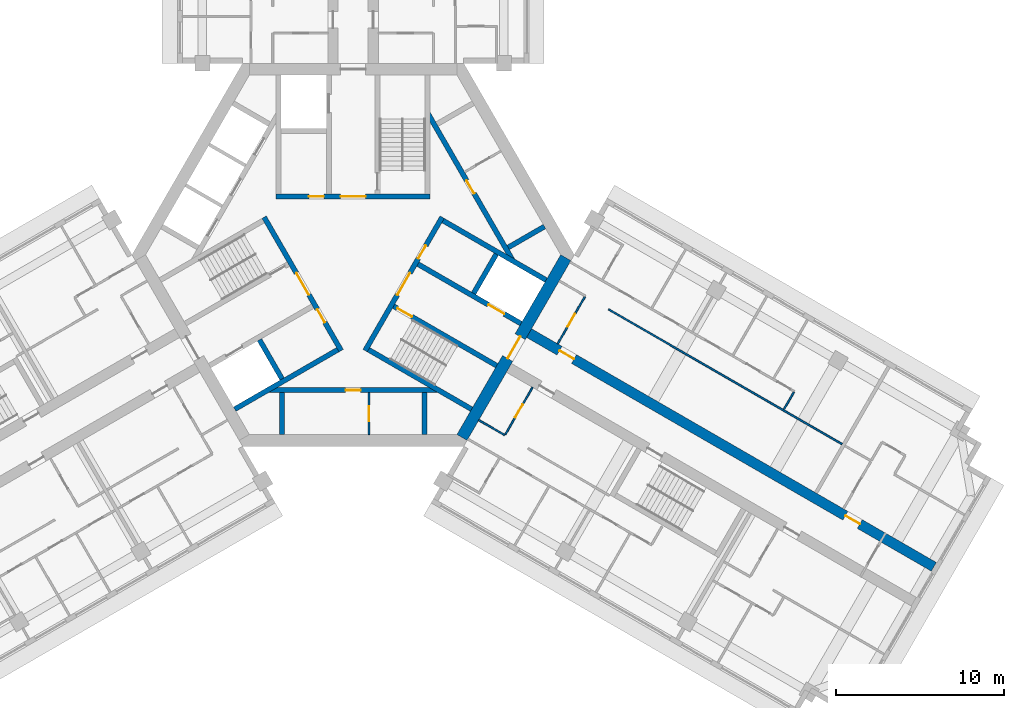
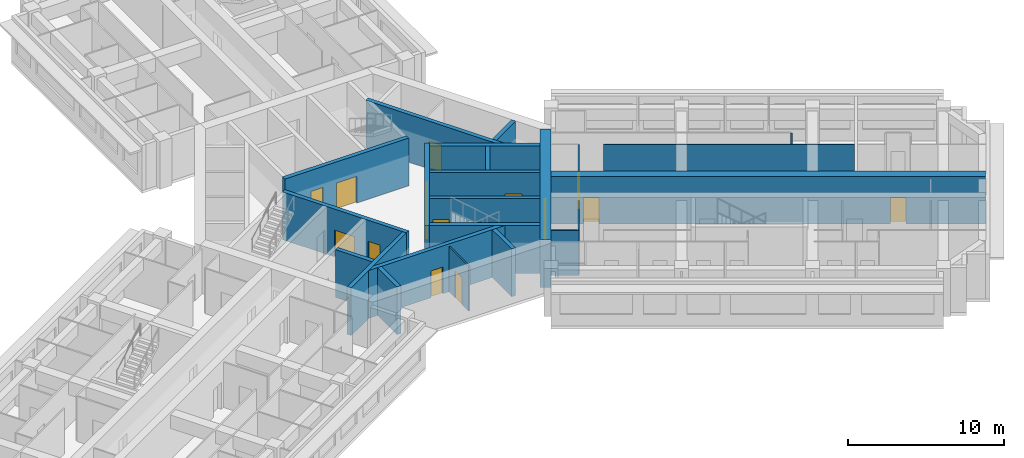
# One storey, part 6 of 12: 23 walls, 16 doors, 16 openings.
"""IFC4 building model written with IfcOpenShell, lengths in metres."""

from ifc_helpers import new_model, si_unit, direction, frame, frame_2d, origin, place, context, subcontext, project, spatial, rectangle, extrude, material, layer, layer_set, type_object, element, fill, save


model = new_model("IFC4")

# Units and contexts
model_context = context("Model", 3, precision=1e-05, world=origin(), true_north=direction((0.0, 1.0)))
body_context = subcontext(model_context, "Body", "Model", "MODEL_VIEW")
ifc_project = project(units=[si_unit("LENGTHUNIT", "METRE"), si_unit("AREAUNIT", "SQUARE_METRE"), si_unit("VOLUMEUNIT", "CUBIC_METRE"), si_unit("PLANEANGLEUNIT", "RADIAN"), si_unit("MASSUNIT", "GRAM", prefix="KILO")], contexts=[model_context])

# Site, building, storey
site_placement = place(None, origin())
site = spatial("IfcSite", under=ifc_project, at=site_placement, CompositionType="ELEMENT")
building_placement = place(site_placement, origin())
building = spatial("IfcBuilding", under=site, at=building_placement, Name="Impinga Residences", CompositionType="ELEMENT")
storey_placement = place(building_placement, frame((0.0, 0.0, 211.0)))
storey = spatial("IfcBuildingStorey", under=building, at=storey_placement, Name="L52", CompositionType="ELEMENT", Elevation=211.0)

# Wall, openings, doors
ifc_material_1 = material(Name="Concrete C60/75", Category="concrete")
ifc_layer_1 = layer(ifc_material_1, 0.60009765625)
ifc_layer_set_1 = layer_set([ifc_layer_1], Name="Concrete C60/75")
wall_type_1 = type_object("IfcWallType", Name="BW3 corridor buttress wall, L46 to L73 600", PredefinedType="SHEAR", material=ifc_layer_set_1)
wall_1_placement = place(storey_placement, frame((10.19677734375, -4.50146484375, 0.0), z_axis=(0.0, 0.0, 1.0), x_axis=(0.866026415941, -0.499998246889, 0.0)))
wall_1 = element("IfcWall", 1, at=wall_1_placement, inside=storey, type_object=wall_type_1, Name="Corridor wall BW3 EC L52", PredefinedType="SHEAR", context=body_context, shape_type="SweptSolid", body=[
    extrude(rectangle(XDim=28.25, YDim=0.60009765625, at=frame_2d((14.125, 0.0))), origin(), (0.0, 0.0, 1.0), 3.75),
])
opening_1_placement = place(wall_1_placement, frame((2.449951171875, 0.0, 0.0)))
opening_1 = element("IfcOpeningElement", 2, at=opening_1_placement, cuts=wall_1, Name="Opening D1", PredefinedType="OPENING", context=body_context, shape_type="SweptSolid", body=[
    extrude(rectangle(XDim=1.0, YDim=2.10009765625, at=frame_2d((0.5, 1.050048828125))), frame((0.0, 0.31005859375, 0.0), z_axis=(0.0, -1.0, 0.0), x_axis=(1.0, 0.0, 0.0)), (0.0, 0.0, 1.0), 0.6201171875),
])
opening_2_placement = place(wall_1_placement, frame((22.14990234375, 0.0, 0.0)))
opening_2 = element("IfcOpeningElement", 3, at=opening_2_placement, cuts=wall_1, Name="Opening D1", PredefinedType="OPENING", context=body_context, shape_type="SweptSolid", body=[
    extrude(rectangle(XDim=1.0, YDim=2.10009765625, at=frame_2d((0.5, 1.050048828125))), frame((0.0, 0.31005859375, 0.0), z_axis=(0.0, -1.0, 0.0), x_axis=(1.0, 0.0, 0.0)), (0.0, 0.0, 1.0), 0.6201171875),
])
ifc_material_2 = material(Name="Timber door set", Category="wood")
door_type_1 = type_object("IfcDoorType", Name="D1 apartment entrance door 1000x2100", OperationType="SINGLE_SWING_LEFT", PredefinedType="DOOR", material=ifc_material_2)
door_1_placement = place(opening_1_placement, origin())
door_1 = element("IfcDoor", 4, at=door_1_placement, inside=storey, type_object=door_type_1, Name="Apartment L52-EA1 entrance", OperationType="SINGLE_SWING_LEFT", OverallHeight=2.10009765625, OverallWidth=1.0, PredefinedType="DOOR", context=body_context, shape_type="SweptSolid", body=[
    extrude(rectangle(XDim=1.0, YDim=2.10009765625, at=frame_2d((0.5, 1.050048828125))), frame((0.0, 0.02490234375, 0.0), z_axis=(0.0, -1.0, 0.0), x_axis=(1.0, 0.0, 0.0)), (0.0, 0.0, 1.0), 0.050048828125),
])
fill(opening_1, door_1)
door_2_placement = place(opening_2_placement, origin())
door_2 = element("IfcDoor", 5, at=door_2_placement, inside=storey, type_object=door_type_1, Name="Apartment L52-EA2 entrance", OperationType="SINGLE_SWING_RIGHT", OverallHeight=2.10009765625, OverallWidth=1.0, PredefinedType="DOOR", context=body_context, shape_type="SweptSolid", body=[
    extrude(rectangle(XDim=1.0, YDim=2.10009765625, at=frame_2d((0.5, 1.050048828125))), frame((0.0, 0.02490234375, 0.0), z_axis=(0.0, -1.0, 0.0), x_axis=(1.0, 0.0, 0.0)), (0.0, 0.0, 1.0), 0.050048828125),
])
fill(opening_2, door_2)

# Wall, opening, door
ifc_material_3 = material(Name="Concrete blockwork", Category="masonry")
ifc_layer_2 = layer(ifc_material_3, 0.10009765625)
ifc_layer_set_2 = layer_set([ifc_layer_2], Name="CP1 core room partition, blockwork 100")
wall_type_2 = type_object("IfcWallType", Name="CP1 core room partition, blockwork 100", PredefinedType="PARTITIONING", material=ifc_layer_set_2)
wall_2_placement = place(storey_placement, frame((0.949951171875, -8.2314453125, 0.0), z_axis=(0.0, 0.0, 1.0), x_axis=(0.0, -1.0, 0.0)))
wall_2 = element("IfcWall", 6, at=wall_2_placement, inside=storey, type_object=wall_type_2, Name="Core room partition, blockwork L52:CORE:low:ZP1", PredefinedType="PARTITIONING", context=body_context, shape_type="SweptSolid", body=[
    extrude(rectangle(XDim=2.5, YDim=0.10009765625, at=frame_2d((1.25, 0.0))), origin(), (0.0, 0.0, 1.0), 3.530029296875),
])
opening_3_placement = place(wall_2_placement, frame((0.800048828125, 0.0, 0.0)))
opening_3 = element("IfcOpeningElement", 7, at=opening_3_placement, cuts=wall_2, Name="Opening D6", PredefinedType="OPENING", context=body_context, shape_type="SweptSolid", body=[
    extrude(rectangle(XDim=0.89990234375, YDim=2.10009765625, at=frame_2d((0.449951171875, 1.050048828125))), frame((0.0, 0.06005859375, 0.0), z_axis=(0.0, -1.0, 0.0), x_axis=(1.0, 0.0, 0.0)), (0.0, 0.0, 1.0), 0.1201171875),
])
door_type_2 = type_object("IfcDoorType", Name="D6 riser and store door 900x2100", OperationType="SINGLE_SWING_LEFT", PredefinedType="DOOR", material=ifc_material_2)
door_3_placement = place(opening_3_placement, origin())
door_3 = element("IfcDoor", 8, at=door_3_placement, inside=storey, type_object=door_type_2, Name="Cleaners' store door", OperationType="SINGLE_SWING_LEFT", OverallHeight=2.10009765625, OverallWidth=0.89990234375, PredefinedType="DOOR", context=body_context, shape_type="SweptSolid", body=[
    extrude(rectangle(XDim=0.89990234375, YDim=2.10009765625, at=frame_2d((0.449951171875, 1.050048828125))), frame((0.0, 0.02490234375, 0.0), z_axis=(0.0, -1.0, 0.0), x_axis=(1.0, 0.0, 0.0)), (0.0, 0.0, 1.0), 0.050048828125),
])
fill(opening_3, door_3)

# Walls
ifc_material_4 = material(Name="Gypsum board on steel studs", Category="steel")
ifc_layer_3 = layer(ifc_material_4, 0.10009765625)
ifc_layer_set_3 = layer_set([ifc_layer_3], Name="Gypsum board on steel studs")
wall_type_3 = type_object("IfcWallType", Name="IP1 partition 100", PredefinedType="PARTITIONING", material=ifc_layer_set_3)
wall_3_placement = place(storey_placement, frame((15.244384765625, -3.2587890625, 0.0), z_axis=(0.0, 0.0, 1.0), x_axis=(0.866025740127, -0.499999417437, 0.0)))
element("IfcWall", 9, at=wall_3_placement, inside=storey, type_object=wall_type_3, Name="Partition L52-EA1:DIV1", PredefinedType="PARTITIONING", context=body_context, shape_type="SweptSolid", body=[
    extrude(rectangle(XDim=16.10009765625, YDim=0.10009765625, at=frame_2d((8.050048828125, 0.0))), origin(), (0.0, 0.0, 1.0), 3.530029296875),
])
wall_4_placement = place(storey_placement, frame((25.705078125, -9.240478515625, 0.0), z_axis=(0.0, 0.0, 1.0), x_axis=(0.50012165622, 0.865955154139, 0.0)))
element("IfcWall", 10, at=wall_4_placement, inside=storey, type_object=wall_type_3, Name="Partition L52-EA1:SE1", PredefinedType="PARTITIONING", context=body_context, shape_type="SweptSolid", body=[
    extrude(rectangle(XDim=1.199951171875, YDim=0.10009765625, at=frame_2d((0.60009765625, 0.0))), origin(), (0.0, 0.0, 1.0), 3.530029296875),
])

# Wall, opening, door
wall_5_placement = place(storey_placement, frame((12.208740234375, -5.316650390625, 0.0), z_axis=(0.0, 0.0, 1.0), x_axis=(0.500017246033, 0.866015446554, 0.0)))
wall_5 = element("IfcWall", 11, at=wall_5_placement, inside=storey, type_object=wall_type_3, Name="Partition L52-EA1:IB1", PredefinedType="PARTITIONING", context=body_context, shape_type="SweptSolid", body=[
    extrude(rectangle(XDim=3.25, YDim=0.10009765625, at=frame_2d((1.625, 0.0))), origin(), (0.0, 0.0, 1.0), 3.530029296875),
])
opening_4_placement = place(wall_5_placement, frame((1.175048828125, 0.0, 0.0)))
opening_4 = element("IfcOpeningElement", 12, at=opening_4_placement, cuts=wall_5, Name="Opening D2", PredefinedType="OPENING", context=body_context, shape_type="SweptSolid", body=[
    extrude(rectangle(XDim=0.89990234375, YDim=2.10009765625, at=frame_2d((0.449951171875, 1.050048828125))), frame((0.0, 0.06005859375, 0.0), z_axis=(0.0, -1.0, 0.0), x_axis=(1.0, 0.0, 0.0)), (0.0, 0.0, 1.0), 0.1201171875),
])
door_type_3 = type_object("IfcDoorType", Name="D2 internal door 900x2100", OperationType="SINGLE_SWING_LEFT", PredefinedType="DOOR", material=ifc_material_2)
door_4_placement = place(opening_4_placement, origin())
door_4 = element("IfcDoor", 13, at=door_4_placement, inside=storey, type_object=door_type_3, Name="Apartment L52-EA1 bathroom door", OperationType="SINGLE_SWING_LEFT", OverallHeight=2.10009765625, OverallWidth=0.89990234375, PredefinedType="DOOR", context=body_context, shape_type="SweptSolid", body=[
    extrude(rectangle(XDim=0.89990234375, YDim=2.10009765625, at=frame_2d((0.449951171875, 1.050048828125))), frame((0.0, 0.02490234375, 0.0), z_axis=(0.0, -1.0, 0.0), x_axis=(1.0, 0.0, 0.0)), (0.0, 0.0, 1.0), 0.050048828125),
])
fill(opening_4, door_4)

# Wall
wall_6_placement = place(storey_placement, frame((7.5, -9.872802734375, 0.0), z_axis=(0.0, 0.0, 1.0), x_axis=(0.866047807691, -0.499961193289, 0.0)))
element("IfcWall", 14, at=wall_6_placement, inside=storey, type_object=wall_type_3, Name="Partition L52-EF1:DIV0", PredefinedType="PARTITIONING", context=body_context, shape_type="SweptSolid", body=[
    extrude(rectangle(XDim=1.800048828125, YDim=0.10009765625, at=frame_2d((0.89990234375, 0.0))), origin(), (0.0, 0.0, 1.0), 3.530029296875),
])

# Wall, opening, door
wall_7_placement = place(storey_placement, frame((10.708740234375, -7.914794921875, 0.0), z_axis=(0.0, 0.0, 1.0), x_axis=(-0.499984717929, -0.866034226713, 0.0)))
wall_7 = element("IfcWall", 15, at=wall_7_placement, inside=storey, type_object=wall_type_3, Name="Partition L52-EF1:IB1", PredefinedType="PARTITIONING", context=body_context, shape_type="SweptSolid", body=[
    extrude(rectangle(XDim=3.25, YDim=0.10009765625, at=frame_2d((1.625, 0.0))), origin(), (0.0, 0.0, 1.0), 3.530029296875),
])
opening_5_placement = place(wall_7_placement, frame((1.175048828125, 0.0, 0.0)))
opening_5 = element("IfcOpeningElement", 16, at=opening_5_placement, cuts=wall_7, Name="Opening D2", PredefinedType="OPENING", context=body_context, shape_type="SweptSolid", body=[
    extrude(rectangle(XDim=0.89990234375, YDim=2.10009765625, at=frame_2d((0.449951171875, 1.050048828125))), frame((0.0, 0.06005859375, 0.0), z_axis=(0.0, -1.0, 0.0), x_axis=(1.0, 0.0, 0.0)), (0.0, 0.0, 1.0), 0.1201171875),
])
door_5_placement = place(opening_5_placement, origin())
door_5 = element("IfcDoor", 17, at=door_5_placement, inside=storey, type_object=door_type_3, Name="Apartment L52-EF1 bathroom door", OperationType="SINGLE_SWING_LEFT", OverallHeight=2.10009765625, OverallWidth=0.89990234375, PredefinedType="DOOR", context=body_context, shape_type="SweptSolid", body=[
    extrude(rectangle(XDim=0.89990234375, YDim=2.10009765625, at=frame_2d((0.449951171875, 1.050048828125))), frame((0.0, 0.02490234375, 0.0), z_axis=(0.0, -1.0, 0.0), x_axis=(1.0, 0.0, 0.0)), (0.0, 0.0, 1.0), 0.050048828125),
])
fill(opening_5, door_5)

ifc_layer_4 = layer(ifc_material_1, 0.699951171875)
ifc_layer_set_4 = layer_set([ifc_layer_4], Name="Concrete C60/75")
wall_type_4 = type_object("IfcWallType", Name="SW3 core wall 700", PredefinedType="SHEAR", material=ifc_layer_set_4)
wall_8_placement = place(storey_placement, frame((12.69482421875, -0.175048828125, 0.0), z_axis=(0.0, 0.0, 1.0), x_axis=(-0.499999875397, -0.866025475724, 0.0)))
wall_8 = element("IfcWall", 18, at=wall_8_placement, inside=storey, type_object=wall_type_4, Name="Core wall SW3 E:FACE L52", PredefinedType="SHEAR", context=body_context, shape_type="SweptSolid", body=[
    extrude(rectangle(XDim=12.3916015625, YDim=0.699951171875, at=frame_2d((6.19580078125, 0.0))), origin(), (0.0, 0.0, 1.0), 3.75),
])
opening_6_placement = place(wall_8_placement, frame((5.44580078125, 0.0, 0.0)))
opening_6 = element("IfcOpeningElement", 19, at=opening_6_placement, cuts=wall_8, Name="Opening D4", PredefinedType="OPENING", context=body_context, shape_type="SweptSolid", body=[
    extrude(rectangle(XDim=1.5, YDim=2.10009765625, at=frame_2d((0.75, 1.050048828125))), frame((0.0, 0.35986328125, 0.0), z_axis=(0.0, -1.0, 0.0), x_axis=(1.0, 0.0, 0.0)), (0.0, 0.0, 1.0), 0.719970703125),
])
door_type_4 = type_object("IfcDoorType", Name="D4 lobby door pair 1500x2100", OperationType="DOUBLE_DOOR_DOUBLE_SWING", PredefinedType="DOOR", material=ifc_material_2)
door_6_placement = place(opening_6_placement, origin())
door_6 = element("IfcDoor", 20, at=door_6_placement, inside=storey, type_object=door_type_4, Name="Lobby door E", OperationType="DOUBLE_DOOR_DOUBLE_SWING", OverallHeight=2.10009765625, OverallWidth=1.5, PredefinedType="DOOR", context=body_context, shape_type="SweptSolid", body=[
    extrude(rectangle(XDim=1.5, YDim=2.10009765625, at=frame_2d((0.75, 1.050048828125))), frame((0.0, 0.02490234375, 0.0), z_axis=(0.0, -1.0, 0.0), x_axis=(1.0, 0.0, 0.0)), (0.0, 0.0, 1.0), 0.050048828125),
])
fill(opening_6, door_6)

# Wall, openings, doors
ifc_material_5 = material(Name="Concrete C70/85", Category="concrete")
ifc_layer_5 = layer(ifc_material_5, 0.300048828125)
ifc_layer_set_5 = layer_set([ifc_layer_5], Name="Concrete C70/85")
wall_type_5 = type_object("IfcWallType", Name="SW5 core inner wall, stairs, shafts and lobbies 300", PredefinedType="SHEAR", material=ifc_layer_set_5)
wall_9_placement = place(storey_placement, frame((-4.60009765625, 3.47998046875, 0.0), z_axis=(0.0, 0.0, 1.0), x_axis=(1.0, 0.0, 0.0)))
wall_9 = element("IfcWall", 21, at=wall_9_placement, inside=storey, type_object=wall_type_5, Name="Core wall SW5 N:ZONE L52", PredefinedType="SHEAR", context=body_context, shape_type="SweptSolid", body=[
    extrude(rectangle(XDim=9.2001953125, YDim=0.300048828125, at=frame_2d((4.60009765625, 0.0))), origin(), (0.0, 0.0, 1.0), 3.75),
])
opening_7_placement = place(wall_9_placement, frame((3.85009765625, 0.0, 0.0)))
opening_7 = element("IfcOpeningElement", 22, at=opening_7_placement, cuts=wall_9, Name="Opening D4", PredefinedType="OPENING", context=body_context, shape_type="SweptSolid", body=[
    extrude(rectangle(XDim=1.5, YDim=2.10009765625, at=frame_2d((0.75, 1.050048828125))), frame((0.0, 0.159912109375, 0.0), z_axis=(0.0, -1.0, 0.0), x_axis=(1.0, 0.0, 0.0)), (0.0, 0.0, 1.0), 0.320068359375),
])
opening_8_placement = place(wall_9_placement, frame((1.949951171875, 0.0, 0.0)))
opening_8 = element("IfcOpeningElement", 23, at=opening_8_placement, cuts=wall_9, Name="Opening D6", PredefinedType="OPENING", context=body_context, shape_type="SweptSolid", body=[
    extrude(rectangle(XDim=0.89990234375, YDim=2.10009765625, at=frame_2d((0.449951171875, 1.050048828125))), frame((0.0, 0.159912109375, 0.0), z_axis=(0.0, -1.0, 0.0), x_axis=(1.0, 0.0, 0.0)), (0.0, 0.0, 1.0), 0.320068359375),
])
door_7_placement = place(opening_7_placement, origin())
door_7 = element("IfcDoor", 24, at=door_7_placement, inside=storey, type_object=door_type_4, Name="Firefighting lobby door N", OperationType="DOUBLE_DOOR_DOUBLE_SWING", OverallHeight=2.10009765625, OverallWidth=1.5, PredefinedType="DOOR", context=body_context, shape_type="SweptSolid", body=[
    extrude(rectangle(XDim=1.5, YDim=2.10009765625, at=frame_2d((0.75, 1.050048828125))), frame((0.0, 0.02490234375, 0.0), z_axis=(0.0, -1.0, 0.0), x_axis=(1.0, 0.0, 0.0)), (0.0, 0.0, 1.0), 0.050048828125),
])
fill(opening_7, door_7)
door_8_placement = place(opening_8_placement, origin())
door_8 = element("IfcDoor", 25, at=door_8_placement, inside=storey, type_object=door_type_2, Name="Riser door N", OperationType="SINGLE_SWING_LEFT", OverallHeight=2.10009765625, OverallWidth=0.89990234375, PredefinedType="DOOR", context=body_context, shape_type="SweptSolid", body=[
    extrude(rectangle(XDim=0.89990234375, YDim=2.10009765625, at=frame_2d((0.449951171875, 1.050048828125))), frame((0.0, 0.02490234375, 0.0), z_axis=(0.0, -1.0, 0.0), x_axis=(1.0, 0.0, 0.0)), (0.0, 0.0, 1.0), 0.050048828125),
])
fill(opening_8, door_8)

wall_10_placement = place(storey_placement, frame((-0.7138671875, -5.7236328125, 0.0), z_axis=(0.0, 0.0, 1.0), x_axis=(-0.499995050369, 0.866028261437, 0.0)))
wall_10 = element("IfcWall", 26, at=wall_10_placement, inside=storey, type_object=wall_type_5, Name="Core wall SW5 W:ZONE L52", PredefinedType="SHEAR", context=body_context, shape_type="SweptSolid", body=[
    extrude(rectangle(XDim=9.19970703125, YDim=0.300048828125, at=frame_2d((4.599853515625, 0.0))), origin(), (0.0, 0.0, 1.0), 3.75),
])
opening_9_placement = place(wall_10_placement, frame((3.85009765625, 0.0, 0.0)))
opening_9 = element("IfcOpeningElement", 27, at=opening_9_placement, cuts=wall_10, Name="Opening D4", PredefinedType="OPENING", context=body_context, shape_type="SweptSolid", body=[
    extrude(rectangle(XDim=1.5, YDim=2.10009765625, at=frame_2d((0.75, 1.050048828125))), frame((0.0, 0.159912109375, 0.0), z_axis=(0.0, -1.0, 0.0), x_axis=(1.0, 0.0, 0.0)), (0.0, 0.0, 1.0), 0.320068359375),
])
opening_10_placement = place(wall_10_placement, frame((1.949951171875, 0.0, 0.0)))
opening_10 = element("IfcOpeningElement", 28, at=opening_10_placement, cuts=wall_10, Name="Opening D6", PredefinedType="OPENING", context=body_context, shape_type="SweptSolid", body=[
    extrude(rectangle(XDim=0.89990234375, YDim=2.10009765625, at=frame_2d((0.449951171875, 1.050048828125))), frame((0.0, 0.159912109375, 0.0), z_axis=(0.0, -1.0, 0.0), x_axis=(1.0, 0.0, 0.0)), (0.0, 0.0, 1.0), 0.320068359375),
])
door_9_placement = place(opening_9_placement, origin())
door_9 = element("IfcDoor", 29, at=door_9_placement, inside=storey, type_object=door_type_4, Name="Firefighting lobby door W", OperationType="DOUBLE_DOOR_DOUBLE_SWING", OverallHeight=2.10009765625, OverallWidth=1.5, PredefinedType="DOOR", context=body_context, shape_type="SweptSolid", body=[
    extrude(rectangle(XDim=1.5, YDim=2.10009765625, at=frame_2d((0.75, 1.050048828125))), frame((0.0, 0.02490234375, 0.0), z_axis=(0.0, -1.0, 0.0), x_axis=(1.0, 0.0, 0.0)), (0.0, 0.0, 1.0), 0.050048828125),
])
fill(opening_9, door_9)
door_10_placement = place(opening_10_placement, origin())
door_10 = element("IfcDoor", 30, at=door_10_placement, inside=storey, type_object=door_type_2, Name="Riser door W", OperationType="SINGLE_SWING_LEFT", OverallHeight=2.10009765625, OverallWidth=0.89990234375, PredefinedType="DOOR", context=body_context, shape_type="SweptSolid", body=[
    extrude(rectangle(XDim=0.89990234375, YDim=2.10009765625, at=frame_2d((0.449951171875, 1.050048828125))), frame((0.0, 0.02490234375, 0.0), z_axis=(0.0, -1.0, 0.0), x_axis=(1.0, 0.0, 0.0)), (0.0, 0.0, 1.0), 0.050048828125),
])
fill(opening_10, door_10)

# Walls
wall_11_placement = place(storey_placement, frame((-0.918701171875, -5.668701171875, 0.0), z_axis=(0.0, 0.0, 1.0), x_axis=(-0.866025859768, -0.499999210213, 0.0)))
element("IfcWall", 31, at=wall_11_placement, inside=storey, type_object=wall_type_5, Name="Core wall SW5 W:FF-OUT L52", PredefinedType="SHEAR", context=body_context, shape_type="SweptSolid", body=[
    extrude(rectangle(XDim=7.1015625, YDim=0.300048828125, at=frame_2d((3.55078125, 0.0))), origin(), (0.0, 0.0, 1.0), 3.75),
])
wall_12_placement = place(storey_placement, frame((-4.2412109375, -7.413818359375, 0.0), z_axis=(0.0, 0.0, 1.0), x_axis=(-0.500048589285, 0.86599734893, 0.0)))
element("IfcWall", 32, at=wall_12_placement, inside=storey, type_object=wall_type_5, Name="Core wall SW5 W:FF-RS L52", PredefinedType="SHEAR", context=body_context, shape_type="SweptSolid", body=[
    extrude(rectangle(XDim=2.699951171875, YDim=0.300048828125, at=frame_2d((1.35009765625, 0.0))), origin(), (0.0, 0.0, 1.0), 3.75),
])

# Wall, openings, doors
wall_13_placement = place(storey_placement, frame((5.313720703125, 2.24365234375, 0.0), z_axis=(0.0, 0.0, 1.0), x_axis=(-0.499995050369, -0.866028261437, 0.0)))
wall_13 = element("IfcWall", 33, at=wall_13_placement, inside=storey, type_object=wall_type_5, Name="Core wall SW5 E:ZONE L52", PredefinedType="SHEAR", context=body_context, shape_type="SweptSolid", body=[
    extrude(rectangle(XDim=9.19970703125, YDim=0.300048828125, at=frame_2d((4.599853515625, 0.0))), origin(), (0.0, 0.0, 1.0), 3.75),
])
opening_11_placement = place(wall_13_placement, frame((3.85009765625, 0.0, 0.0)))
opening_11 = element("IfcOpeningElement", 34, at=opening_11_placement, cuts=wall_13, Name="Opening D4", PredefinedType="OPENING", context=body_context, shape_type="SweptSolid", body=[
    extrude(rectangle(XDim=1.5, YDim=2.10009765625, at=frame_2d((0.75, 1.050048828125))), frame((0.0, 0.159912109375, 0.0), z_axis=(0.0, -1.0, 0.0), x_axis=(1.0, 0.0, 0.0)), (0.0, 0.0, 1.0), 0.320068359375),
])
opening_12_placement = place(wall_13_placement, frame((1.949951171875, 0.0, 0.0)))
opening_12 = element("IfcOpeningElement", 35, at=opening_12_placement, cuts=wall_13, Name="Opening D6", PredefinedType="OPENING", context=body_context, shape_type="SweptSolid", body=[
    extrude(rectangle(XDim=0.89990234375, YDim=2.10009765625, at=frame_2d((0.449951171875, 1.050048828125))), frame((0.0, 0.159912109375, 0.0), z_axis=(0.0, -1.0, 0.0), x_axis=(1.0, 0.0, 0.0)), (0.0, 0.0, 1.0), 0.320068359375),
])
door_11_placement = place(opening_11_placement, origin())
door_11 = element("IfcDoor", 36, at=door_11_placement, inside=storey, type_object=door_type_4, Name="Firefighting lobby door E", OperationType="DOUBLE_DOOR_DOUBLE_SWING", OverallHeight=2.10009765625, OverallWidth=1.5, PredefinedType="DOOR", context=body_context, shape_type="SweptSolid", body=[
    extrude(rectangle(XDim=1.5, YDim=2.10009765625, at=frame_2d((0.75, 1.050048828125))), frame((0.0, 0.02490234375, 0.0), z_axis=(0.0, -1.0, 0.0), x_axis=(1.0, 0.0, 0.0)), (0.0, 0.0, 1.0), 0.050048828125),
])
fill(opening_11, door_11)
door_12_placement = place(opening_12_placement, origin())
door_12 = element("IfcDoor", 37, at=door_12_placement, inside=storey, type_object=door_type_2, Name="Riser door E", OperationType="SINGLE_SWING_LEFT", OverallHeight=2.10009765625, OverallWidth=0.89990234375, PredefinedType="DOOR", context=body_context, shape_type="SweptSolid", body=[
    extrude(rectangle(XDim=0.89990234375, YDim=2.10009765625, at=frame_2d((0.449951171875, 1.050048828125))), frame((0.0, 0.02490234375, 0.0), z_axis=(0.0, -1.0, 0.0), x_axis=(1.0, 0.0, 0.0)), (0.0, 0.0, 1.0), 0.050048828125),
])
fill(opening_12, door_12)

# Wall, opening, door
wall_14_placement = place(storey_placement, frame((2.418701171875, -3.07080078125, 0.0), z_axis=(0.0, 0.0, 1.0), x_axis=(0.866025859768, -0.499999210213, 0.0)))
wall_14 = element("IfcWall", 38, at=wall_14_placement, inside=storey, type_object=wall_type_5, Name="Core wall SW5 E:ST-IN L52", PredefinedType="SHEAR", context=body_context, shape_type="SweptSolid", body=[
    extrude(rectangle(XDim=7.1015625, YDim=0.300048828125, at=frame_2d((3.55078125, 0.0))), origin(), (0.0, 0.0, 1.0), 3.75),
])
opening_13_placement = place(wall_14_placement, frame((0.25, 0.0, 0.0)))
opening_13 = element("IfcOpeningElement", 39, at=opening_13_placement, cuts=wall_14, Name="Opening D5", PredefinedType="OPENING", context=body_context, shape_type="SweptSolid", body=[
    extrude(rectangle(XDim=1.0, YDim=2.10009765625, at=frame_2d((0.5, 1.050048828125))), frame((0.0, 0.159912109375, 0.0), z_axis=(0.0, -1.0, 0.0), x_axis=(1.0, 0.0, 0.0)), (0.0, 0.0, 1.0), 0.320068359375),
])
door_type_5 = type_object("IfcDoorType", Name="D5 stair door 1000x2100", OperationType="SINGLE_SWING_LEFT", PredefinedType="DOOR", material=ifc_material_2)
door_13_placement = place(opening_13_placement, origin())
door_13 = element("IfcDoor", 40, at=door_13_placement, inside=storey, type_object=door_type_5, Name="Stair door E", OperationType="SINGLE_SWING_LEFT", OverallHeight=2.10009765625, OverallWidth=1.0, PredefinedType="DOOR", context=body_context, shape_type="SweptSolid", body=[
    extrude(rectangle(XDim=1.0, YDim=2.10009765625, at=frame_2d((0.5, 1.050048828125))), frame((0.0, 0.02490234375, 0.0), z_axis=(0.0, -1.0, 0.0), x_axis=(1.0, 0.0, 0.0)), (0.0, 0.0, 1.0), 0.050048828125),
])
fill(opening_13, door_13)

# Wall
wall_15_placement = place(storey_placement, frame((0.918701171875, -5.668701171875, 0.0), z_axis=(0.0, 0.0, 1.0), x_axis=(0.866025859768, -0.499999210213, 0.0)))
element("IfcWall", 41, at=wall_15_placement, inside=storey, type_object=wall_type_5, Name="Core wall SW5 E:ST-OUT L52", PredefinedType="SHEAR", context=body_context, shape_type="SweptSolid", body=[
    extrude(rectangle(XDim=7.1015625, YDim=0.300048828125, at=frame_2d((3.55078125, 0.0))), origin(), (0.0, 0.0, 1.0), 3.75),
])

# Wall, opening, door
wall_16_placement = place(storey_placement, frame((3.86865234375, -0.559326171875, 0.0), z_axis=(0.0, 0.0, 1.0), x_axis=(0.866025859768, -0.499999210213, 0.0)))
wall_16 = element("IfcWall", 42, at=wall_16_placement, inside=storey, type_object=wall_type_5, Name="Core wall SW5 E:FF-IN L52", PredefinedType="SHEAR", context=body_context, shape_type="SweptSolid", body=[
    extrude(rectangle(XDim=7.1015625, YDim=0.300048828125, at=frame_2d((3.55078125, 0.0))), origin(), (0.0, 0.0, 1.0), 3.75),
])
opening_14_placement = place(wall_16_placement, frame((4.85009765625, 0.0, 0.0)))
opening_14 = element("IfcOpeningElement", 43, at=opening_14_placement, cuts=wall_16, Name="Opening LD2", PredefinedType="OPENING", context=body_context, shape_type="SweptSolid", body=[
    extrude(rectangle(XDim=1.10009765625, YDim=2.10009765625, at=frame_2d((0.550048828125, 1.050048828125))), frame((0.0, 0.159912109375, 0.0), z_axis=(0.0, -1.0, 0.0), x_axis=(1.0, 0.0, 0.0)), (0.0, 0.0, 1.0), 0.320068359375),
])
ifc_material_6 = material(Name="Steel lift landing door", Category="steel")
door_type_6 = type_object("IfcDoorType", Name="LD2 firefighting lift landing door 1100x2100", OperationType="DOUBLE_DOOR_SLIDING", PredefinedType="DOOR", material=ifc_material_6)
door_14_placement = place(opening_14_placement, origin())
door_14 = element("IfcDoor", 44, at=door_14_placement, inside=storey, type_object=door_type_6, Name="Firefighting lift landing door F3", OperationType="DOUBLE_DOOR_SLIDING", OverallHeight=2.10009765625, OverallWidth=1.10009765625, PredefinedType="DOOR", context=body_context, shape_type="SweptSolid", body=[
    extrude(rectangle(XDim=1.10009765625, YDim=2.10009765625, at=frame_2d((0.550048828125, 1.050048828125))), frame((0.0, 0.02490234375, 0.0), z_axis=(0.0, -1.0, 0.0), x_axis=(1.0, 0.0, 0.0)), (0.0, 0.0, 1.0), 0.050048828125),
])
fill(opening_14, door_14)

# Walls
wall_17_placement = place(storey_placement, frame((5.36865234375, 2.038818359375, 0.0), z_axis=(0.0, 0.0, 1.0), x_axis=(0.866025859768, -0.499999210213, 0.0)))
element("IfcWall", 45, at=wall_17_placement, inside=storey, type_object=wall_type_5, Name="Core wall SW5 E:FF-OUT L52", PredefinedType="SHEAR", context=body_context, shape_type="SweptSolid", body=[
    extrude(rectangle(XDim=7.1015625, YDim=0.300048828125, at=frame_2d((3.55078125, 0.0))), origin(), (0.0, 0.0, 1.0), 3.75),
])
wall_18_placement = place(storey_placement, frame((8.541259765625, 0.033935546875, 0.0), z_axis=(0.0, 0.0, 1.0), x_axis=(-0.50000943426, -0.866019956843, 0.0)))
element("IfcWall", 46, at=wall_18_placement, inside=storey, type_object=wall_type_5, Name="Core wall SW5 E:FF-RS L52", PredefinedType="SHEAR", context=body_context, shape_type="SweptSolid", body=[
    extrude(rectangle(XDim=2.7001953125, YDim=0.300048828125, at=frame_2d((1.35009765625, 0.0))), origin(), (0.0, 0.0, 1.0), 3.75),
])

# Wall, opening, door
wall_19_placement = place(storey_placement, frame((5.09765625, -8.08154296875, 0.0), z_axis=(0.0, 0.0, 1.0), x_axis=(-1.0, 0.0, 0.0)))
wall_19 = element("IfcWall", 47, at=wall_19_placement, inside=storey, type_object=wall_type_5, Name="Core wall SW5 N:BANK-FRONT L52", PredefinedType="SHEAR", context=body_context, shape_type="SweptSolid", body=[
    extrude(rectangle(XDim=10.1953125, YDim=0.300048828125, at=frame_2d((5.09765625, 0.0))), origin(), (0.0, 0.0, 1.0), 3.75),
])
opening_15_placement = place(wall_19_placement, frame((4.647705078125, 0.0, 0.0)))
opening_15 = element("IfcOpeningElement", 48, at=opening_15_placement, cuts=wall_19, Name="Opening D6", PredefinedType="OPENING", context=body_context, shape_type="SweptSolid", body=[
    extrude(rectangle(XDim=0.89990234375, YDim=2.10009765625, at=frame_2d((0.449951171875, 1.050048828125))), frame((0.0, 0.159912109375, 0.0), z_axis=(0.0, -1.0, 0.0), x_axis=(1.0, 0.0, 0.0)), (0.0, 0.0, 1.0), 0.320068359375),
])
door_15_placement = place(opening_15_placement, origin())
door_15 = element("IfcDoor", 49, at=door_15_placement, inside=storey, type_object=door_type_2, Name="Vending and ice room door", OperationType="SINGLE_SWING_LEFT", OverallHeight=2.10009765625, OverallWidth=0.89990234375, PredefinedType="DOOR", context=body_context, shape_type="SweptSolid", body=[
    extrude(rectangle(XDim=0.89990234375, YDim=2.10009765625, at=frame_2d((0.449951171875, 1.050048828125))), frame((0.0, 0.02490234375, 0.0), z_axis=(0.0, -1.0, 0.0), x_axis=(1.0, 0.0, 0.0)), (0.0, 0.0, 1.0), 0.050048828125),
])
fill(opening_15, door_15)

# Walls
for number, where, z_axis, x_axis, name in (
    (50, (4.25, -8.2314453125, 0.0), (0.0, 0.0, 1.0), (0.0, -1.0, 0.0), "Core wall SW5 N:BANK-L L52"),
    (51, (-4.25, -8.2314453125, 0.0), (0.0, 0.0, 1.0), (0.0, -1.0, 0.0), "Core wall SW5 N:BANK-R L52"),
):
    element("IfcWall", number, at=place(storey_placement, frame(where, z_axis=z_axis, x_axis=x_axis)), inside=storey, type_object=wall_type_5, Name=name, PredefinedType="SHEAR", context=body_context, shape_type="SweptSolid", body=[
        extrude(rectangle(XDim=2.5, YDim=0.300048828125, at=frame_2d((1.25, 0.0))), origin(), (0.0, 0.0, 1.0), 3.75),
    ])

# Wall, opening, door
wall_20_placement = place(storey_placement, frame((4.449951171875, 8.455322265625, 0.0), z_axis=(0.0, 0.0, 1.0), x_axis=(0.500002290144, -0.866024081565, 0.0)))
wall_20 = element("IfcWall", 52, at=wall_20_placement, inside=storey, type_object=wall_type_5, Name="Core wall SW5 W:BANK-FRONT L52", PredefinedType="SHEAR", context=body_context, shape_type="SweptSolid", body=[
    extrude(rectangle(XDim=10.1953125, YDim=0.300048828125, at=frame_2d((5.09765625, 0.0))), origin(), (0.0, 0.0, 1.0), 3.75),
])
opening_16_placement = place(wall_20_placement, frame((4.647705078125, 0.0, 0.0)))
opening_16 = element("IfcOpeningElement", 53, at=opening_16_placement, cuts=wall_20, Name="Opening D6", PredefinedType="OPENING", context=body_context, shape_type="SweptSolid", body=[
    extrude(rectangle(XDim=0.89990234375, YDim=2.10009765625, at=frame_2d((0.449951171875, 1.050048828125))), frame((0.0, 0.159912109375, 0.0), z_axis=(0.0, -1.0, 0.0), x_axis=(1.0, 0.0, 0.0)), (0.0, 0.0, 1.0), 0.320068359375),
])
door_16_placement = place(opening_16_placement, origin())
door_16 = element("IfcDoor", 54, at=door_16_placement, inside=storey, type_object=door_type_2, Name="Guest pantry door", OperationType="SINGLE_SWING_RIGHT", OverallHeight=2.10009765625, OverallWidth=0.89990234375, PredefinedType="DOOR", context=body_context, shape_type="SweptSolid", body=[
    extrude(rectangle(XDim=0.89990234375, YDim=2.10009765625, at=frame_2d((0.449951171875, 1.050048828125))), frame((0.0, 0.02490234375, 0.0), z_axis=(0.0, -1.0, 0.0), x_axis=(1.0, 0.0, 0.0)), (0.0, 0.0, 1.0), 0.050048828125),
])
fill(opening_16, door_16)

# Wall
wall_21_placement = place(storey_placement, frame((9.253662109375, 0.43505859375, 0.0), z_axis=(0.0, 0.0, 1.0), x_axis=(0.866022959057, 0.500004234368, 0.0)))
element("IfcWall", 55, at=wall_21_placement, inside=storey, type_object=wall_type_5, Name="Core wall SW5 W:BANK-R L52", PredefinedType="SHEAR", context=body_context, shape_type="SweptSolid", body=[
    extrude(rectangle(XDim=2.5, YDim=0.300048828125, at=frame_2d((1.25, 0.0))), origin(), (0.0, 0.0, 1.0), 3.75),
])

save(model, "model.ifc")
